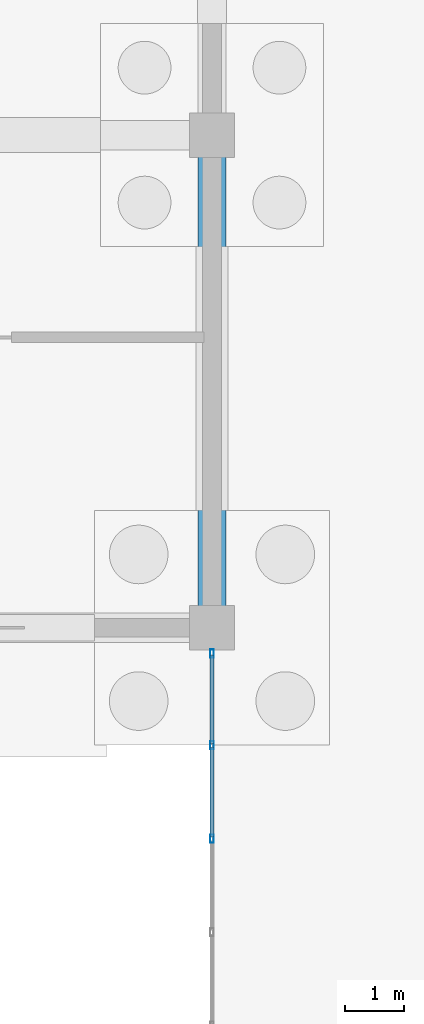
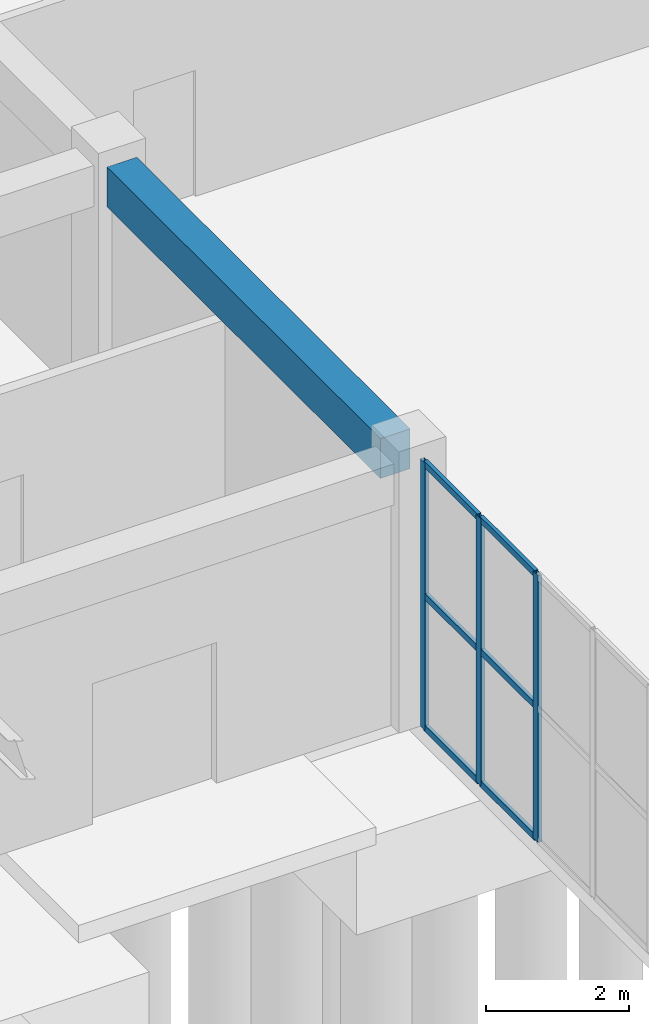
# One storey, part 69 of 192: 9 members, 1 beam, 1 element without a shape of its own.
"""IFC4 building model written with IfcOpenShell, lengths in metres."""

from ifc_helpers import new_model, si_unit, direction, frame, origin, origin_2d, place, context, subcontext, project, spatial, rectangle, hollow_rectangle, extrude, material, layer, layer_set, material_profile, profile_set, type_object, element, aggregate, save


model = new_model("IFC4")

# Units and contexts
model_context = context("Model", 3, precision=1e-05, world=origin(), true_north=direction((0.0, 1.0)))
body_context = subcontext(model_context, "Body", "Model", "MODEL_VIEW")
ifc_project = project(units=[si_unit("LENGTHUNIT", "METRE"), si_unit("AREAUNIT", "SQUARE_METRE"), si_unit("VOLUMEUNIT", "CUBIC_METRE"), si_unit("PLANEANGLEUNIT", "RADIAN"), si_unit("MASSUNIT", "GRAM", prefix="KILO")], contexts=[model_context])

# Site, building, storey
site_placement = place(None, origin())
site = spatial("IfcSite", under=ifc_project, at=site_placement, CompositionType="ELEMENT")
building_placement = place(site_placement, origin())
building = spatial("IfcBuilding", under=site, at=building_placement, Name="Trelvath General Hospital", CompositionType="ELEMENT")
storey_placement = place(building_placement, origin())
storey = spatial("IfcBuildingStorey", under=building, at=storey_placement, Name="L00", CompositionType="ELEMENT", Elevation=0.0)

# Beam
ifc_material_1 = material(Name="Concrete C35/45", Category="concrete")
ifc_material_profile_1 = material_profile(ifc_material_1, rectangle(XDim=0.47998046875, YDim=0.679931640625, at=origin_2d()), Name="RCB480x680")
ifc_profile_set_1 = profile_set([ifc_material_profile_1], Name="Concrete C35/45")
beam_type = type_object("IfcBeamType", Name="Beam RC480x680", PredefinedType="BEAM", material=ifc_profile_set_1)
beam_placement = place(storey_placement, frame((92.39990234375, 42.375, 4.179931640625), z_axis=(0.0, 1.0, 0.0), x_axis=(-1.0, 0.0, 0.0)))
element("IfcBeam", 1, at=beam_placement, inside=storey, type_object=beam_type, Name="Grid Beam BY-011F", PredefinedType="BEAM", context=body_context, shape_type="SweptSolid", body=[
    extrude(rectangle(XDim=0.47998046875, YDim=0.679931640625, at=origin_2d()), origin(), (0.0, 0.0, 1.0), 7.64990234375),
])

# Curtain wall, members
ifc_material_2 = material(Name="Anodised aluminium and low-E glass", Category="aluminium")
ifc_layer = layer(ifc_material_2, 0.139892578125)
ifc_layer_set = layer_set([ifc_layer], Name="Anodised aluminium and low-E glass")
curtain_wall_type = type_object("IfcCurtainWallType", Name="CW CrystalCube 797 456 14", PredefinedType="USERDEFINED", material=ifc_layer_set)
curtain_wall_placement = place(storey_placement, origin())
curtain_wall = element("IfcCurtainWall", 2, at=curtain_wall_placement, inside=storey, type_object=curtain_wall_type, Name="Crystal Cube Curtain Wall CUBE-E-T0 W2 L00", ObjectType="Unitised Glazed Curtain Wall", PredefinedType="USERDEFINED")
ifc_material_3 = material(Name="Anodised aluminium", Category="aluminium")
ifc_material_profile_2 = material_profile(ifc_material_3, hollow_rectangle(XDim=0.06005859375, YDim=0.139892578125, WallThickness=0.00390625, at=origin_2d()), Name="RHS60x140x4")
ifc_profile_set_2 = profile_set([ifc_material_profile_2], Name="Anodised aluminium")
member_type_1 = type_object("IfcMemberType", Name="CurtainMullion 60x140", PredefinedType="MULLION", material=ifc_profile_set_2)
member_1_placement = place(storey_placement, frame((92.39990234375, 38.402099609375, 0.0), z_axis=(0.0, 0.0, 1.0), x_axis=(-1.0, 0.0, 0.0)))
member_1 = element("IfcMember", 3, at=member_1_placement, type_object=member_type_1, Name="CW-119 mullion 4", PredefinedType="MULLION", context=body_context, shape_type="SweptSolid", body=[
    extrude(hollow_rectangle(XDim=0.06005859375, YDim=0.139892578125, WallThickness=0.00390625, at=origin_2d()), origin(), (0.0, 0.0, 1.0), 4.56005859375),
])
member_2_placement = place(storey_placement, frame((92.39990234375, 39.99609375, 0.0), z_axis=(0.0, 0.0, 1.0), x_axis=(-1.0, 0.0, 0.0)))
member_2 = element("IfcMember", 4, at=member_2_placement, type_object=member_type_1, Name="CW-119 mullion 5", PredefinedType="MULLION", context=body_context, shape_type="SweptSolid", body=[
    extrude(hollow_rectangle(XDim=0.06005859375, YDim=0.139892578125, WallThickness=0.00390625, at=origin_2d()), origin(), (0.0, 0.0, 1.0), 4.56005859375),
])
member_3_placement = place(storey_placement, frame((92.39990234375, 41.56005859375, 0.0), z_axis=(0.0, 0.0, 1.0), x_axis=(-1.0, 0.0, 0.0)))
member_3 = element("IfcMember", 5, at=member_3_placement, type_object=member_type_1, Name="CW-119 mullion 6", PredefinedType="MULLION", context=body_context, shape_type="SweptSolid", body=[
    extrude(hollow_rectangle(XDim=0.06005859375, YDim=0.139892578125, WallThickness=0.00390625, at=origin_2d()), origin(), (0.0, 0.0, 1.0), 4.56005859375),
])
ifc_material_4 = material(Name="Anodised aluminium", Category="aluminium")
ifc_material_profile_3 = material_profile(ifc_material_4, hollow_rectangle(XDim=0.06005859375, YDim=0.110107421875, WallThickness=0.00390625, at=origin_2d()), Name="RHS60x110x4")
ifc_profile_set_3 = profile_set([ifc_material_profile_3], Name="Anodised aluminium")
member_type_2 = type_object("IfcMemberType", Name="CurtainTransom 60x110", PredefinedType="USERDEFINED", material=ifc_profile_set_3)
member_4_placement = place(storey_placement, frame((92.39990234375, 38.431884765625, 0.030029296875), z_axis=(0.0, 1.0, 0.0), x_axis=(-1.0, 0.0, 0.0)))
member_4 = element("IfcMember", 6, at=member_4_placement, type_object=member_type_2, Name="CW-119 transom 4.1", ObjectType="TRANSOM", PredefinedType="USERDEFINED", context=body_context, shape_type="SweptSolid", body=[
    extrude(hollow_rectangle(XDim=0.06005859375, YDim=0.110107421875, WallThickness=0.00390625, at=origin_2d()), origin(), (0.0, 0.0, 1.0), 1.5341796875),
])
member_5_placement = place(storey_placement, frame((92.39990234375, 38.431884765625, 2.280029296875), z_axis=(0.0, 1.0, 0.0), x_axis=(-1.0, 0.0, 0.0)))
member_5 = element("IfcMember", 7, at=member_5_placement, type_object=member_type_2, Name="CW-119 transom 4.2", ObjectType="TRANSOM", PredefinedType="USERDEFINED", context=body_context, shape_type="SweptSolid", body=[
    extrude(hollow_rectangle(XDim=0.06005859375, YDim=0.110107421875, WallThickness=0.00390625, at=origin_2d()), origin(), (0.0, 0.0, 1.0), 1.5341796875),
])
member_6_placement = place(storey_placement, frame((92.39990234375, 38.431884765625, 4.530029296875), z_axis=(0.0, 1.0, 0.0), x_axis=(-1.0, 0.0, 0.0)))
member_6 = element("IfcMember", 8, at=member_6_placement, type_object=member_type_2, Name="CW-119 transom 4.3", ObjectType="TRANSOM", PredefinedType="USERDEFINED", context=body_context, shape_type="SweptSolid", body=[
    extrude(hollow_rectangle(XDim=0.06005859375, YDim=0.110107421875, WallThickness=0.00390625, at=origin_2d()), origin(), (0.0, 0.0, 1.0), 1.5341796875),
])
member_7_placement = place(storey_placement, frame((92.39990234375, 40.02587890625, 0.030029296875), z_axis=(0.0, 1.0, 0.0), x_axis=(-1.0, 0.0, 0.0)))
member_7 = element("IfcMember", 9, at=member_7_placement, type_object=member_type_2, Name="CW-119 transom 5.1", ObjectType="TRANSOM", PredefinedType="USERDEFINED", context=body_context, shape_type="SweptSolid", body=[
    extrude(hollow_rectangle(XDim=0.06005859375, YDim=0.110107421875, WallThickness=0.00390625, at=origin_2d()), origin(), (0.0, 0.0, 1.0), 1.504150390625),
])
member_8_placement = place(storey_placement, frame((92.39990234375, 40.02587890625, 2.280029296875), z_axis=(0.0, 1.0, 0.0), x_axis=(-1.0, 0.0, 0.0)))
member_8 = element("IfcMember", 10, at=member_8_placement, type_object=member_type_2, Name="CW-119 transom 5.2", ObjectType="TRANSOM", PredefinedType="USERDEFINED", context=body_context, shape_type="SweptSolid", body=[
    extrude(hollow_rectangle(XDim=0.06005859375, YDim=0.110107421875, WallThickness=0.00390625, at=origin_2d()), origin(), (0.0, 0.0, 1.0), 1.504150390625),
])
member_9_placement = place(storey_placement, frame((92.39990234375, 40.02587890625, 4.530029296875), z_axis=(0.0, 1.0, 0.0), x_axis=(-1.0, 0.0, 0.0)))
member_9 = element("IfcMember", 11, at=member_9_placement, type_object=member_type_2, Name="CW-119 transom 5.3", ObjectType="TRANSOM", PredefinedType="USERDEFINED", context=body_context, shape_type="SweptSolid", body=[
    extrude(hollow_rectangle(XDim=0.06005859375, YDim=0.110107421875, WallThickness=0.00390625, at=origin_2d()), origin(), (0.0, 0.0, 1.0), 1.504150390625),
])
aggregate(curtain_wall, [member_1, member_2, member_3, member_4, member_5, member_6, member_7, member_8, member_9])

save(model, "model.ifc")
